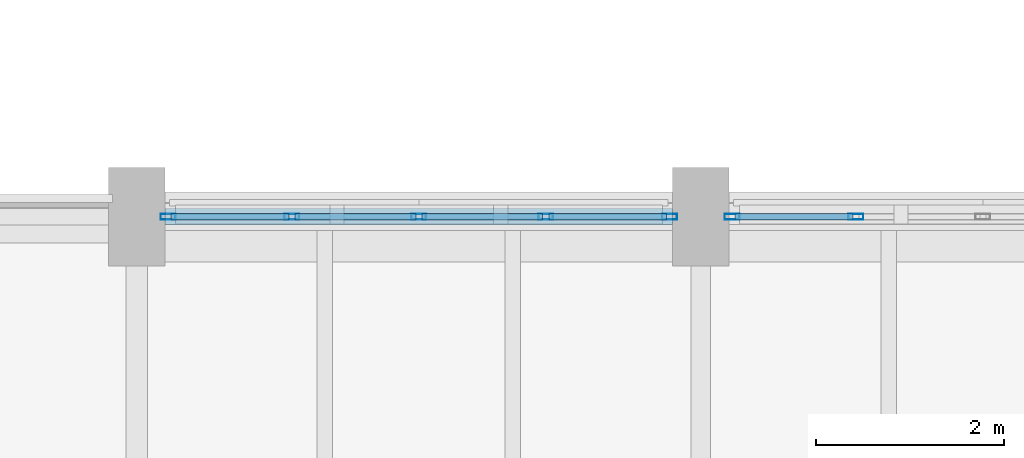
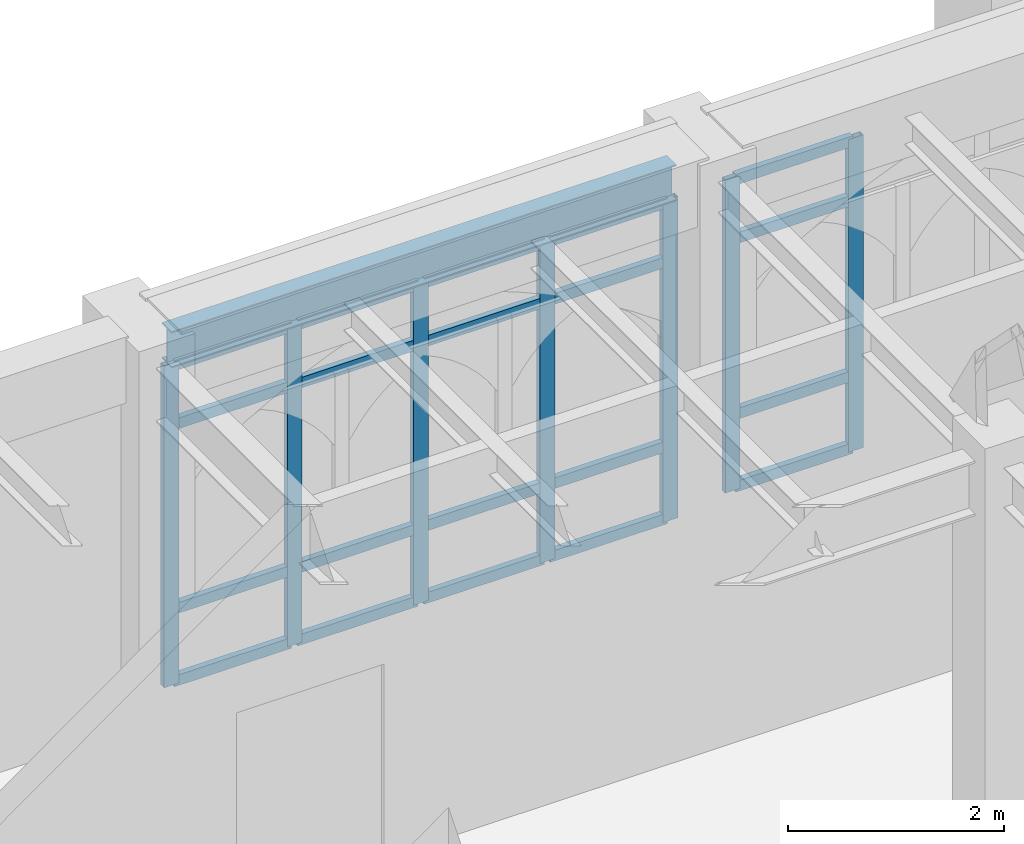
# One storey, part 56 of 143: 27 members, 1 beam, 2 elements without a shape of their own.
"""IFC4 building model written with IfcOpenShell, lengths in metres."""

from ifc_helpers import new_model, si_unit, direction, frame, origin, origin_2d, place, context, subcontext, project, spatial, hollow_rectangle, i_section, extrude, material, layer, layer_set, material_profile, profile_set, type_object, element, aggregate, save


model = new_model("IFC4")

# Units and contexts
model_context = context("Model", 3, precision=1e-05, world=origin(), true_north=direction((0.0, 1.0)))
body_context = subcontext(model_context, "Body", "Model", "MODEL_VIEW")
ifc_project = project(units=[si_unit("LENGTHUNIT", "METRE"), si_unit("AREAUNIT", "SQUARE_METRE"), si_unit("VOLUMEUNIT", "CUBIC_METRE"), si_unit("PLANEANGLEUNIT", "RADIAN"), si_unit("MASSUNIT", "GRAM", prefix="KILO")], contexts=[model_context])

# Site, building, storey
site_placement = place(None, origin())
site = spatial("IfcSite", under=ifc_project, at=site_placement, CompositionType="ELEMENT")
building_placement = place(site_placement, origin())
building = spatial("IfcBuilding", under=site, at=building_placement, Name="Cumevento Cable Car Station", CompositionType="ELEMENT")
storey_placement = place(building_placement, frame((0.0, 0.0, 9.0)))
storey = spatial("IfcBuildingStorey", under=building, at=storey_placement, Name="L03", CompositionType="ELEMENT", Elevation=9.0)

# Curtain wall, members
ifc_material_1 = material(Name="Anodised Bronze Aluminium AW-6063-T6", Category="aluminium")
ifc_layer_1 = layer(ifc_material_1, 0.214111328125)
ifc_layer_set_1 = layer_set([ifc_layer_1], Name="Anodised Bronze Aluminium AW-6063-T6")
curtain_wall_type_1 = type_object("IfcCurtainWallType", Name="Lancet Curtain Wall CW-10 1410", PredefinedType="NOTDEFINED", material=ifc_layer_set_1)
curtain_wall_1_placement = place(storey_placement, origin())
curtain_wall_1 = element("IfcCurtainWall", 1, at=curtain_wall_1_placement, inside=storey, type_object=curtain_wall_type_1, Name="Lancet Curtain Wall CW-10 L03 #105", PredefinedType="NOTDEFINED")
ifc_material_2 = material(Name="Anodised Bronze Aluminium AW-6063-T6", Category="aluminium")
ifc_material_profile_1 = material_profile(ifc_material_2, hollow_rectangle(XDim=0.06494140625, YDim=0.159912109375, WallThickness=0.00390625, at=origin_2d()), Name="ALUM65x160x4")
ifc_profile_set_1 = profile_set([ifc_material_profile_1], Name="Anodised Bronze Aluminium AW-6063-T6")
member_type_1 = type_object("IfcMemberType", Name="Curtain Mullion CWM-01 ALUM65x160x4", PredefinedType="MULLION", material=ifc_profile_set_1)
member_1_placement = place(storey_placement, frame((76.33251953125, 56.5, 0.2099609375), z_axis=(0.0, 0.0, 1.0), x_axis=(0.0, 1.0, 0.0)))
member_1 = element("IfcMember", 2, at=member_1_placement, type_object=member_type_1, Name="CW-10 mullion 1", PredefinedType="MULLION", context=body_context, shape_type="SweptSolid", body=[
    extrude(hollow_rectangle(XDim=0.06494140625, YDim=0.159912109375, WallThickness=0.00390625, at=origin_2d()), origin(), (0.0, 0.0, 1.0), 3.635009765625),
])
member_2_placement = place(storey_placement, frame((77.64990234375, 56.5, 0.2099609375), z_axis=(0.0, 0.0, 1.0), x_axis=(0.0, 1.0, 0.0)))
member_2 = element("IfcMember", 3, at=member_2_placement, type_object=member_type_1, Name="CW-10 mullion 2", PredefinedType="MULLION", context=body_context, shape_type="SweptSolid", body=[
    extrude(hollow_rectangle(XDim=0.06494140625, YDim=0.159912109375, WallThickness=0.00390625, at=origin_2d()), origin(), (0.0, 0.0, 1.0), 3.635009765625),
])
member_3_placement = place(storey_placement, frame((79.0, 56.5, 0.2099609375), z_axis=(0.0, 0.0, 1.0), x_axis=(0.0, 1.0, 0.0)))
member_3 = element("IfcMember", 4, at=member_3_placement, type_object=member_type_1, Name="CW-10 mullion 3", PredefinedType="MULLION", context=body_context, shape_type="SweptSolid", body=[
    extrude(hollow_rectangle(XDim=0.06494140625, YDim=0.159912109375, WallThickness=0.00390625, at=origin_2d()), origin(), (0.0, 0.0, 1.0), 3.635009765625),
])
member_4_placement = place(storey_placement, frame((80.35009765625, 56.5, 0.2099609375), z_axis=(0.0, 0.0, 1.0), x_axis=(0.0, 1.0, 0.0)))
member_4 = element("IfcMember", 5, at=member_4_placement, type_object=member_type_1, Name="CW-10 mullion 4", PredefinedType="MULLION", context=body_context, shape_type="SweptSolid", body=[
    extrude(hollow_rectangle(XDim=0.06494140625, YDim=0.159912109375, WallThickness=0.00390625, at=origin_2d()), origin(), (0.0, 0.0, 1.0), 3.635009765625),
])
member_5_placement = place(storey_placement, frame((81.66748046875, 56.5, 0.2099609375), z_axis=(0.0, 0.0, 1.0), x_axis=(0.0, 1.0, 0.0)))
member_5 = element("IfcMember", 6, at=member_5_placement, type_object=member_type_1, Name="CW-10 mullion 5", PredefinedType="MULLION", context=body_context, shape_type="SweptSolid", body=[
    extrude(hollow_rectangle(XDim=0.06494140625, YDim=0.159912109375, WallThickness=0.00390625, at=origin_2d()), origin(), (0.0, 0.0, 1.0), 3.635009765625),
])

ifc_material_3 = material(Name="Anodised Bronze Aluminium AW-6063-T6", Category="aluminium")
ifc_layer_2 = layer(ifc_material_3, 0.22607421875)
ifc_layer_set_2 = layer_set([ifc_layer_2], Name="Anodised Bronze Aluminium AW-6063-T6")
curtain_wall_type_2 = type_object("IfcCurtainWallType", Name="Lancet Curtain Wall CW-12 1490", PredefinedType="NOTDEFINED", material=ifc_layer_set_2)
curtain_wall_2_placement = place(storey_placement, origin())
curtain_wall_2 = element("IfcCurtainWall", 7, at=curtain_wall_2_placement, inside=storey, type_object=curtain_wall_type_2, Name="Lancet Curtain Wall CW-12 L03 #107", PredefinedType="NOTDEFINED")
member_6_placement = place(storey_placement, frame((82.33251953125, 56.5, 0.31005859375), z_axis=(0.0, 0.0, 1.0), x_axis=(0.0, 1.0, 0.0)))
member_6 = element("IfcMember", 8, at=member_6_placement, type_object=member_type_1, Name="CW-12 mullion 1", PredefinedType="MULLION", context=body_context, shape_type="SweptSolid", body=[
    extrude(hollow_rectangle(XDim=0.06494140625, YDim=0.159912109375, WallThickness=0.00390625, at=origin_2d()), origin(), (0.0, 0.0, 1.0), 3.534912109375),
])
member_7_placement = place(storey_placement, frame((83.64990234375, 56.5, 0.31005859375), z_axis=(0.0, 0.0, 1.0), x_axis=(0.0, 1.0, 0.0)))
member_7 = element("IfcMember", 9, at=member_7_placement, type_object=member_type_1, Name="CW-12 mullion 2", PredefinedType="MULLION", context=body_context, shape_type="SweptSolid", body=[
    extrude(hollow_rectangle(XDim=0.06494140625, YDim=0.159912109375, WallThickness=0.00390625, at=origin_2d()), origin(), (0.0, 0.0, 1.0), 3.534912109375),
])

# Member
ifc_material_4 = material(Name="Anodised Bronze Aluminium AW-6063-T6", Category="aluminium")
ifc_material_profile_2 = material_profile(ifc_material_4, hollow_rectangle(XDim=0.06494140625, YDim=0.1201171875, WallThickness=0.00390625, at=origin_2d()), Name="ALUT65x120x4")
ifc_profile_set_2 = profile_set([ifc_material_profile_2], Name="Anodised Bronze Aluminium AW-6063-T6")
member_type_2 = type_object("IfcMemberType", Name="Curtain Transom CWT-01 ALUT65x120x4", PredefinedType="USERDEFINED", material=ifc_profile_set_2)
member_8_placement = place(storey_placement, frame((76.364990234375, 56.5, 0.242431640625), z_axis=(1.0, 0.0, 0.0), x_axis=(0.0, 1.0, 0.0)))
member_8 = element("IfcMember", 10, at=member_8_placement, type_object=member_type_2, Name="CW-10 transom 1.1", ObjectType="TRANSOM", PredefinedType="USERDEFINED", context=body_context, shape_type="SweptSolid", body=[
    extrude(hollow_rectangle(XDim=0.06494140625, YDim=0.1201171875, WallThickness=0.00390625, at=origin_2d()), origin(), (0.0, 0.0, 1.0), 1.25244140625),
])

member_9_placement = place(storey_placement, frame((76.364990234375, 56.5, 1.06005859375), z_axis=(1.0, 0.0, 0.0), x_axis=(0.0, 1.0, 0.0)))
member_9 = element("IfcMember", 11, at=member_9_placement, type_object=member_type_2, Name="CW-10 transom 1.2", ObjectType="TRANSOM", PredefinedType="USERDEFINED", context=body_context, shape_type="SweptSolid", body=[
    extrude(hollow_rectangle(XDim=0.06494140625, YDim=0.1201171875, WallThickness=0.00390625, at=origin_2d()), origin(), (0.0, 0.0, 1.0), 1.25244140625),
])

member_10_placement = place(storey_placement, frame((76.364990234375, 56.5, 3.14501953125), z_axis=(1.0, 0.0, 0.0), x_axis=(0.0, 1.0, 0.0)))
member_10 = element("IfcMember", 12, at=member_10_placement, type_object=member_type_2, Name="CW-10 transom 1.3", ObjectType="TRANSOM", PredefinedType="USERDEFINED", context=body_context, shape_type="SweptSolid", body=[
    extrude(hollow_rectangle(XDim=0.06494140625, YDim=0.1201171875, WallThickness=0.00390625, at=origin_2d()), origin(), (0.0, 0.0, 1.0), 1.25244140625),
])

member_11_placement = place(storey_placement, frame((76.364990234375, 56.5, 3.8125), z_axis=(1.0, 0.0, 0.0), x_axis=(0.0, 1.0, 0.0)))
member_11 = element("IfcMember", 13, at=member_11_placement, type_object=member_type_2, Name="CW-10 transom 1.4", ObjectType="TRANSOM", PredefinedType="USERDEFINED", context=body_context, shape_type="SweptSolid", body=[
    extrude(hollow_rectangle(XDim=0.06494140625, YDim=0.1201171875, WallThickness=0.00390625, at=origin_2d()), origin(), (0.0, 0.0, 1.0), 1.25244140625),
])

member_12_placement = place(storey_placement, frame((77.6826171875, 56.5, 0.242431640625), z_axis=(1.0, 0.0, 0.0), x_axis=(0.0, 1.0, 0.0)))
member_12 = element("IfcMember", 14, at=member_12_placement, type_object=member_type_2, Name="CW-10 transom 2.1", ObjectType="TRANSOM", PredefinedType="USERDEFINED", context=body_context, shape_type="SweptSolid", body=[
    extrude(hollow_rectangle(XDim=0.06494140625, YDim=0.1201171875, WallThickness=0.00390625, at=origin_2d()), origin(), (0.0, 0.0, 1.0), 1.284912109375),
])

member_13_placement = place(storey_placement, frame((77.6826171875, 56.5, 1.06005859375), z_axis=(1.0, 0.0, 0.0), x_axis=(0.0, 1.0, 0.0)))
member_13 = element("IfcMember", 15, at=member_13_placement, type_object=member_type_2, Name="CW-10 transom 2.2", ObjectType="TRANSOM", PredefinedType="USERDEFINED", context=body_context, shape_type="SweptSolid", body=[
    extrude(hollow_rectangle(XDim=0.06494140625, YDim=0.1201171875, WallThickness=0.00390625, at=origin_2d()), origin(), (0.0, 0.0, 1.0), 1.284912109375),
])

member_14_placement = place(storey_placement, frame((77.6826171875, 56.5, 3.14501953125), z_axis=(1.0, 0.0, 0.0), x_axis=(0.0, 1.0, 0.0)))
member_14 = element("IfcMember", 16, at=member_14_placement, type_object=member_type_2, Name="CW-10 transom 2.3", ObjectType="TRANSOM", PredefinedType="USERDEFINED", context=body_context, shape_type="SweptSolid", body=[
    extrude(hollow_rectangle(XDim=0.06494140625, YDim=0.1201171875, WallThickness=0.00390625, at=origin_2d()), origin(), (0.0, 0.0, 1.0), 1.284912109375),
])

member_15_placement = place(storey_placement, frame((77.6826171875, 56.5, 3.8125), z_axis=(1.0, 0.0, 0.0), x_axis=(0.0, 1.0, 0.0)))
member_15 = element("IfcMember", 17, at=member_15_placement, type_object=member_type_2, Name="CW-10 transom 2.4", ObjectType="TRANSOM", PredefinedType="USERDEFINED", context=body_context, shape_type="SweptSolid", body=[
    extrude(hollow_rectangle(XDim=0.06494140625, YDim=0.1201171875, WallThickness=0.00390625, at=origin_2d()), origin(), (0.0, 0.0, 1.0), 1.284912109375),
])

member_16_placement = place(storey_placement, frame((79.032470703125, 56.5, 0.242431640625), z_axis=(1.0, 0.0, 0.0), x_axis=(0.0, 1.0, 0.0)))
member_16 = element("IfcMember", 18, at=member_16_placement, type_object=member_type_2, Name="CW-10 transom 3.1", ObjectType="TRANSOM", PredefinedType="USERDEFINED", context=body_context, shape_type="SweptSolid", body=[
    extrude(hollow_rectangle(XDim=0.06494140625, YDim=0.1201171875, WallThickness=0.00390625, at=origin_2d()), origin(), (0.0, 0.0, 1.0), 1.284912109375),
])

member_17_placement = place(storey_placement, frame((79.032470703125, 56.5, 1.06005859375), z_axis=(1.0, 0.0, 0.0), x_axis=(0.0, 1.0, 0.0)))
member_17 = element("IfcMember", 19, at=member_17_placement, type_object=member_type_2, Name="CW-10 transom 3.2", ObjectType="TRANSOM", PredefinedType="USERDEFINED", context=body_context, shape_type="SweptSolid", body=[
    extrude(hollow_rectangle(XDim=0.06494140625, YDim=0.1201171875, WallThickness=0.00390625, at=origin_2d()), origin(), (0.0, 0.0, 1.0), 1.284912109375),
])

member_18_placement = place(storey_placement, frame((79.032470703125, 56.5, 3.14501953125), z_axis=(1.0, 0.0, 0.0), x_axis=(0.0, 1.0, 0.0)))
member_18 = element("IfcMember", 20, at=member_18_placement, type_object=member_type_2, Name="CW-10 transom 3.3", ObjectType="TRANSOM", PredefinedType="USERDEFINED", context=body_context, shape_type="SweptSolid", body=[
    extrude(hollow_rectangle(XDim=0.06494140625, YDim=0.1201171875, WallThickness=0.00390625, at=origin_2d()), origin(), (0.0, 0.0, 1.0), 1.284912109375),
])

member_19_placement = place(storey_placement, frame((79.032470703125, 56.5, 3.8125), z_axis=(1.0, 0.0, 0.0), x_axis=(0.0, 1.0, 0.0)))
member_19 = element("IfcMember", 21, at=member_19_placement, type_object=member_type_2, Name="CW-10 transom 3.4", ObjectType="TRANSOM", PredefinedType="USERDEFINED", context=body_context, shape_type="SweptSolid", body=[
    extrude(hollow_rectangle(XDim=0.06494140625, YDim=0.1201171875, WallThickness=0.00390625, at=origin_2d()), origin(), (0.0, 0.0, 1.0), 1.284912109375),
])

member_20_placement = place(storey_placement, frame((80.382568359375, 56.5, 0.242431640625), z_axis=(1.0, 0.0, 0.0), x_axis=(0.0, 1.0, 0.0)))
member_20 = element("IfcMember", 22, at=member_20_placement, type_object=member_type_2, Name="CW-10 transom 4.1", ObjectType="TRANSOM", PredefinedType="USERDEFINED", context=body_context, shape_type="SweptSolid", body=[
    extrude(hollow_rectangle(XDim=0.06494140625, YDim=0.1201171875, WallThickness=0.00390625, at=origin_2d()), origin(), (0.0, 0.0, 1.0), 1.25244140625),
])

member_21_placement = place(storey_placement, frame((80.382568359375, 56.5, 1.06005859375), z_axis=(1.0, 0.0, 0.0), x_axis=(0.0, 1.0, 0.0)))
member_21 = element("IfcMember", 23, at=member_21_placement, type_object=member_type_2, Name="CW-10 transom 4.2", ObjectType="TRANSOM", PredefinedType="USERDEFINED", context=body_context, shape_type="SweptSolid", body=[
    extrude(hollow_rectangle(XDim=0.06494140625, YDim=0.1201171875, WallThickness=0.00390625, at=origin_2d()), origin(), (0.0, 0.0, 1.0), 1.25244140625),
])

member_22_placement = place(storey_placement, frame((80.382568359375, 56.5, 3.14501953125), z_axis=(1.0, 0.0, 0.0), x_axis=(0.0, 1.0, 0.0)))
member_22 = element("IfcMember", 24, at=member_22_placement, type_object=member_type_2, Name="CW-10 transom 4.3", ObjectType="TRANSOM", PredefinedType="USERDEFINED", context=body_context, shape_type="SweptSolid", body=[
    extrude(hollow_rectangle(XDim=0.06494140625, YDim=0.1201171875, WallThickness=0.00390625, at=origin_2d()), origin(), (0.0, 0.0, 1.0), 1.25244140625),
])

member_23_placement = place(storey_placement, frame((80.382568359375, 56.5, 3.8125), z_axis=(1.0, 0.0, 0.0), x_axis=(0.0, 1.0, 0.0)))
member_23 = element("IfcMember", 25, at=member_23_placement, type_object=member_type_2, Name="CW-10 transom 4.4", ObjectType="TRANSOM", PredefinedType="USERDEFINED", context=body_context, shape_type="SweptSolid", body=[
    extrude(hollow_rectangle(XDim=0.06494140625, YDim=0.1201171875, WallThickness=0.00390625, at=origin_2d()), origin(), (0.0, 0.0, 1.0), 1.25244140625),
])

aggregate(curtain_wall_1, [member_1, member_2, member_3, member_4, member_5, member_8, member_9, member_10, member_11, member_12, member_13, member_14, member_15, member_16, member_17, member_18, member_19, member_20, member_21, member_22, member_23])

member_24_placement = place(storey_placement, frame((82.364990234375, 56.5, 0.342529296875), z_axis=(1.0, 0.0, 0.0), x_axis=(0.0, 1.0, 0.0)))
member_24 = element("IfcMember", 26, at=member_24_placement, type_object=member_type_2, Name="CW-12 transom 1.1", ObjectType="TRANSOM", PredefinedType="USERDEFINED", context=body_context, shape_type="SweptSolid", body=[
    extrude(hollow_rectangle(XDim=0.06494140625, YDim=0.1201171875, WallThickness=0.00390625, at=origin_2d()), origin(), (0.0, 0.0, 1.0), 1.25244140625),
])

member_25_placement = place(storey_placement, frame((82.364990234375, 56.5, 1.159912109375), z_axis=(1.0, 0.0, 0.0), x_axis=(0.0, 1.0, 0.0)))
member_25 = element("IfcMember", 27, at=member_25_placement, type_object=member_type_2, Name="CW-12 transom 1.2", ObjectType="TRANSOM", PredefinedType="USERDEFINED", context=body_context, shape_type="SweptSolid", body=[
    extrude(hollow_rectangle(XDim=0.06494140625, YDim=0.1201171875, WallThickness=0.00390625, at=origin_2d()), origin(), (0.0, 0.0, 1.0), 1.25244140625),
])

member_26_placement = place(storey_placement, frame((82.364990234375, 56.5, 3.14501953125), z_axis=(1.0, 0.0, 0.0), x_axis=(0.0, 1.0, 0.0)))
member_26 = element("IfcMember", 28, at=member_26_placement, type_object=member_type_2, Name="CW-12 transom 1.3", ObjectType="TRANSOM", PredefinedType="USERDEFINED", context=body_context, shape_type="SweptSolid", body=[
    extrude(hollow_rectangle(XDim=0.06494140625, YDim=0.1201171875, WallThickness=0.00390625, at=origin_2d()), origin(), (0.0, 0.0, 1.0), 1.25244140625),
])

member_27_placement = place(storey_placement, frame((82.364990234375, 56.5, 3.8125), z_axis=(1.0, 0.0, 0.0), x_axis=(0.0, 1.0, 0.0)))
member_27 = element("IfcMember", 29, at=member_27_placement, type_object=member_type_2, Name="CW-12 transom 1.4", ObjectType="TRANSOM", PredefinedType="USERDEFINED", context=body_context, shape_type="SweptSolid", body=[
    extrude(hollow_rectangle(XDim=0.06494140625, YDim=0.1201171875, WallThickness=0.00390625, at=origin_2d()), origin(), (0.0, 0.0, 1.0), 1.25244140625),
])

aggregate(curtain_wall_2, [member_6, member_7, member_24, member_25, member_26, member_27])

# Beam
ifc_material_5 = material(Name="Steel ASTM A572 Grade 50", Category="steel")
ifc_material_profile_3 = material_profile(ifc_material_5, i_section(OverallWidth=0.177978515625, OverallDepth=0.406982421875, WebThickness=0.0078125, FlangeThickness=0.0126953125, at=origin_2d()), Name="W410x60.0")
ifc_profile_set_3 = profile_set([ifc_material_profile_3], Name="Steel ASTM A572 Grade 50")
beam_type = type_object("IfcBeamType", Name="Structural Spandrel SP-01 W410x60.0", PredefinedType="SPANDREL", material=ifc_profile_set_3)
beam_placement = place(storey_placement, frame((76.300048828125, 56.5, 4.048583984375), z_axis=(1.0, 0.0, 0.0), x_axis=(0.0, 1.0, 0.0)))
element("IfcBeam", 30, at=beam_placement, inside=storey, type_object=beam_type, Name="Beam SP-01 L03 #1073", PredefinedType="SPANDREL", context=body_context, shape_type="SweptSolid", body=[
    extrude(i_section(OverallWidth=0.177978515625, OverallDepth=0.406982421875, WebThickness=0.0078125, FlangeThickness=0.0126953125, at=origin_2d()), origin(), (0.0, 0.0, 1.0), 5.39990234375),
])

save(model, "model.ifc")
